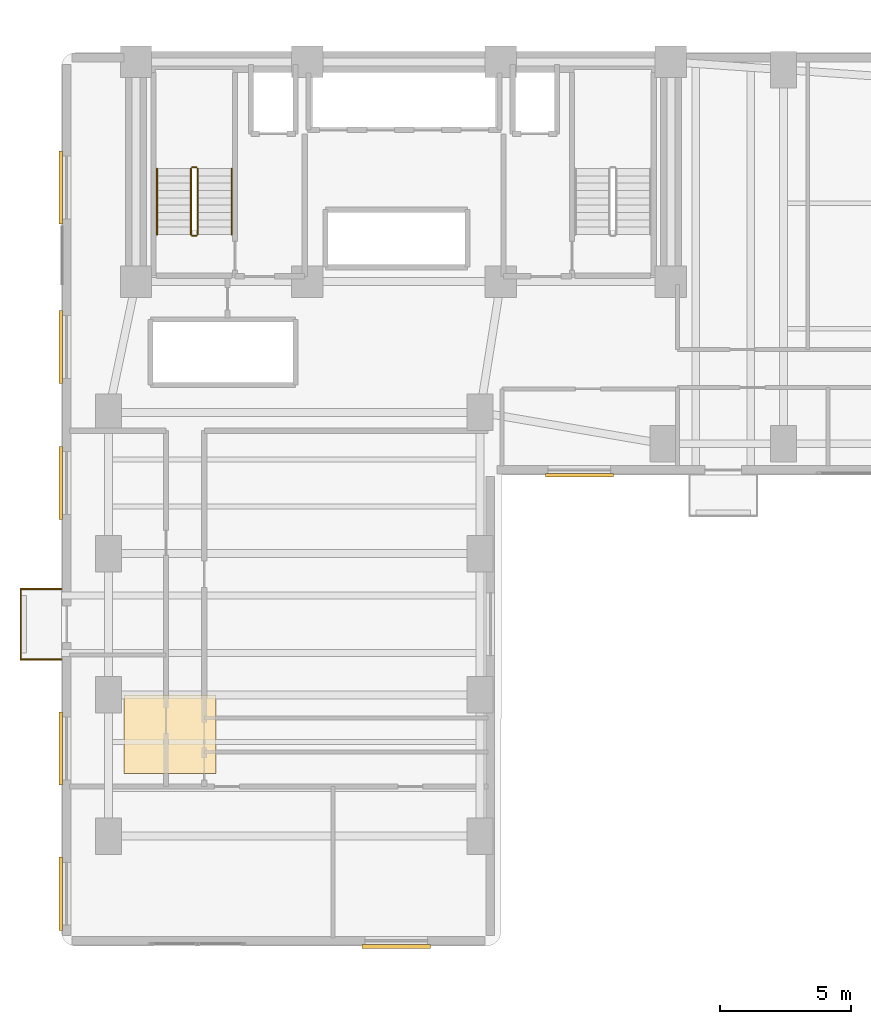
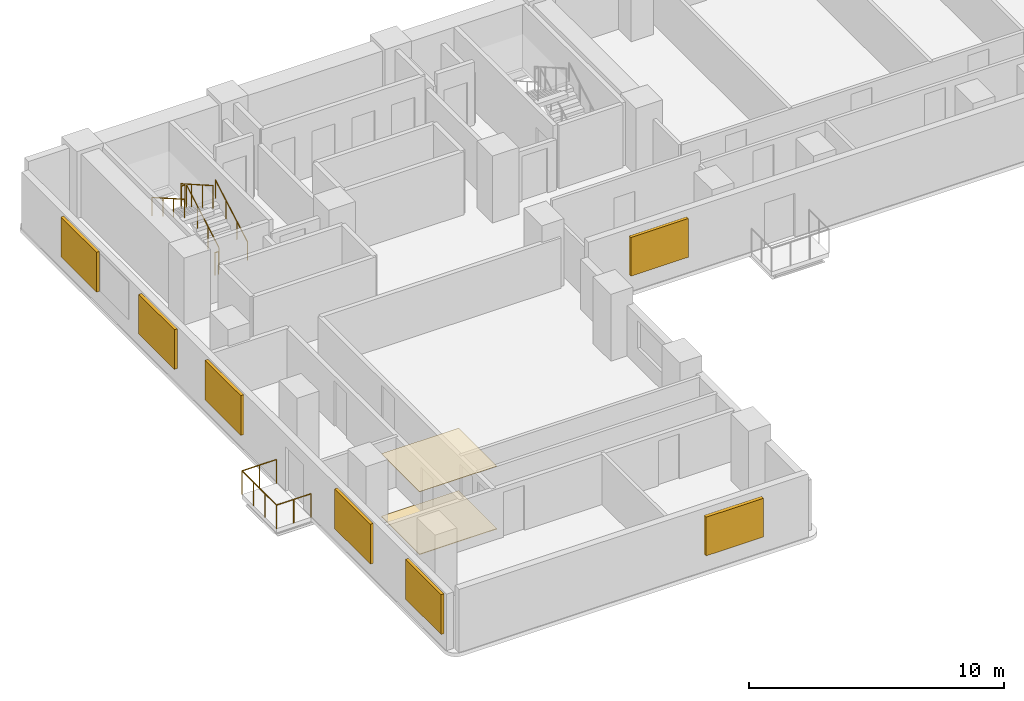
# One storey, part 14 of 17: 9 railings, 7 shading devices, 2 coverings.
"""IFC4 building model written with IfcOpenShell, lengths in metres."""

from ifc_helpers import new_model, si_unit, direction, frame, origin, origin_2d, place, context, subcontext, project, spatial, polyline, rectangle, circle, outline, extrude, material, layer, layer_set, type_object, element, save


model = new_model("IFC4")

# Units and contexts
model_context = context("Model", 3, precision=1e-05, world=origin(), true_north=direction((0.0, 1.0)))
body_context = subcontext(model_context, "Body", "Model", "MODEL_VIEW")
ifc_project = project(units=[si_unit("LENGTHUNIT", "METRE"), si_unit("AREAUNIT", "SQUARE_METRE"), si_unit("VOLUMEUNIT", "CUBIC_METRE"), si_unit("PLANEANGLEUNIT", "RADIAN"), si_unit("MASSUNIT", "GRAM", prefix="KILO")], contexts=[model_context])

# Site, building, storey
site_placement = place(None, origin())
site = spatial("IfcSite", under=ifc_project, at=site_placement, CompositionType="ELEMENT")
building_placement = place(site_placement, origin())
building = spatial("IfcBuilding", under=site, at=building_placement, Name="Kuzgunbayir Cultural Tower", CompositionType="ELEMENT")
storey_placement = place(building_placement, frame((0.0, 0.0, 46.800048828125)))
storey = spatial("IfcBuildingStorey", under=building, at=storey_placement, Name="L12", CompositionType="ELEMENT", Elevation=46.800048828125)

# Coverings
ifc_material_1 = material(Name="Perforated Gypsum Acoustic Tile", Category="gypsum")
ifc_layer_1 = layer(ifc_material_1, 0.02490234375)
ifc_layer_set_1 = layer_set([ifc_layer_1], Name="Perforated Gypsum Acoustic Tile")
covering_type_1 = type_object("IfcCoveringType", Name="COV-CEIL-ACOUSTIC", PredefinedType="CEILING", material=ifc_layer_set_1)
covering_1_placement = place(storey_placement, frame((0.0, 0.0, 3.0)))
element("IfcCovering", 1, at=covering_1_placement, inside=storey, type_object=covering_type_1, Name="L12 Acoustic Soffit Ceiling", PredefinedType="CEILING", context=body_context, shape_type="SweptSolid", body=[
    extrude(outline(polyline([(6.0, 15.0), (9.5, 15.0), (9.5, 18.0), (6.0, 18.0), (6.0, 15.0)])), origin(), (0.0, 0.0, 1.0), 0.02001953125),
])
ifc_material_2 = material(Name="Honed Anatolian Marble Terrazzo", Category="masonry")
ifc_layer_2 = layer(ifc_material_2, 0.030029296875)
ifc_layer_set_2 = layer_set([ifc_layer_2], Name="Honed Anatolian Marble Terrazzo")
covering_type_2 = type_object("IfcCoveringType", Name="COV-FLOOR-TERRAZZO", PredefinedType="FLOORING", material=ifc_layer_set_2)
covering_2_placement = place(storey_placement, origin())
element("IfcCovering", 2, at=covering_2_placement, inside=storey, type_object=covering_type_2, Name="L12 Acoustic Floor Finish", PredefinedType="FLOORING", context=body_context, shape_type="SweptSolid", body=[
    extrude(outline(polyline([(6.0, 15.0), (9.5, 15.0), (9.5, 18.0), (6.0, 18.0), (6.0, 15.0)])), origin(), (0.0, 0.0, 1.0), 0.030029296875),
])

# Railings
ifc_material_3 = material(Name="Laminated Glass and Stainless Steel", Category="steel")
ifc_layer_3 = layer(ifc_material_3, 0.080078125)
ifc_layer_set_3 = layer_set([ifc_layer_3], Name="Laminated Glass and Stainless Steel")
railing_type_1 = type_object("IfcRailingType", Name="RLG-BAL-115", PredefinedType="BALUSTRADE", material=ifc_layer_set_3)
railing_1_placement = place(storey_placement, frame((3.60009765625, 19.35009765625, 0.0)))
element("IfcRailing", 3, at=railing_1_placement, inside=storey, type_object=railing_type_1, Name="L12 Balcony Guard BAL-L12-WA2 Segment 1", PredefinedType="BALUSTRADE", context=body_context, shape_type="SweptSolid", body=[
    extrude(circle(Radius=0.02392578125, at=origin_2d()), frame((0.0, 0.0, 1.1259765625), z_axis=(-1.0, 0.0, 0.0), x_axis=(0.0, -1.0, 0.0)), (0.0, 0.0, 1.0), 1.56005859375),
    extrude(circle(Radius=0.02099609375, at=origin_2d()), origin(), (0.0, 0.0, 1.0), 1.101806640625),
    extrude(circle(Radius=0.02099609375, at=origin_2d()), frame((-0.780029296875, 0.0, 0.0)), (0.0, 0.0, 1.0), 1.101806640625),
    extrude(circle(Radius=0.02099609375, at=origin_2d()), frame((-1.56005859375, 0.0, 0.0)), (0.0, 0.0, 1.0), 1.101806640625),
])
railing_2_placement = place(storey_placement, frame((2.0400390625, 19.35009765625, 0.0)))
element("IfcRailing", 4, at=railing_2_placement, inside=storey, type_object=railing_type_1, Name="L12 Balcony Guard BAL-L12-WA2 Segment 2", PredefinedType="BALUSTRADE", context=body_context, shape_type="SweptSolid", body=[
    extrude(circle(Radius=0.02392578125, at=origin_2d()), frame((0.0, 0.0, 1.1259765625), z_axis=(0.0, 1.0, 0.0), x_axis=(-1.0, 0.0, 0.0)), (0.0, 0.0, 1.0), 2.699951171875),
    extrude(circle(Radius=0.02099609375, at=origin_2d()), origin(), (0.0, 0.0, 1.0), 1.101806640625),
    extrude(circle(Radius=0.02099609375, at=origin_2d()), frame((0.0, 0.89990234375, 0.0)), (0.0, 0.0, 1.0), 1.101806640625),
    extrude(circle(Radius=0.02099609375, at=origin_2d()), frame((0.0, 1.800048828125, 0.0)), (0.0, 0.0, 1.0), 1.101806640625),
    extrude(circle(Radius=0.02099609375, at=origin_2d()), frame((0.0, 2.699951171875, 0.0)), (0.0, 0.0, 1.0), 1.101806640625),
])
railing_3_placement = place(storey_placement, frame((2.0400390625, 22.050048828125, 0.0)))
element("IfcRailing", 5, at=railing_3_placement, inside=storey, type_object=railing_type_1, Name="L12 Balcony Guard BAL-L12-WA2 Segment 3", PredefinedType="BALUSTRADE", context=body_context, shape_type="SweptSolid", body=[
    extrude(circle(Radius=0.02392578125, at=origin_2d()), frame((0.0, 0.0, 1.1259765625), z_axis=(1.0, 0.0, 0.0), x_axis=(0.0, 1.0, 0.0)), (0.0, 0.0, 1.0), 1.56005859375),
    extrude(circle(Radius=0.02099609375, at=origin_2d()), origin(), (0.0, 0.0, 1.0), 1.101806640625),
    extrude(circle(Radius=0.02099609375, at=origin_2d()), frame((0.780029296875, 0.0, 0.0)), (0.0, 0.0, 1.0), 1.101806640625),
    extrude(circle(Radius=0.02099609375, at=origin_2d()), frame((1.56005859375, 0.0, 0.0)), (0.0, 0.0, 1.0), 1.101806640625),
])
ifc_material_4 = material(Name="Brushed Stainless Steel", Category="steel")
ifc_layer_4 = layer(ifc_material_4, 0.050048828125)
ifc_layer_set_4 = layer_set([ifc_layer_4], Name="Brushed Stainless Steel")
railing_type_2 = type_object("IfcRailingType", Name="RLG-STAIR-HANDRAIL", PredefinedType="HANDRAIL", material=ifc_layer_set_4)
railing_4_placement = place(storey_placement, frame((10.110107421875, 35.60009765625, 0.159912109375)))
element("IfcRailing", 6, at=railing_4_placement, inside=storey, type_object=railing_type_2, Name="L12 ST-1 stair handrail 1", PredefinedType="HANDRAIL", context=body_context, shape_type="SweptSolid", body=[
    extrude(circle(Radius=0.02392578125, at=origin_2d()), frame((0.0, 0.0, 0.8759765625), z_axis=(0.0, 0.868253494771, 0.496120820787), x_axis=(-1.0, 0.0, 0.0)), (0.0, 0.0, 1.0), 2.90234375),
    extrude(circle(Radius=0.02099609375, at=origin_2d()), origin(), (0.0, 0.0, 1.0), 0.851806640625),
    extrude(circle(Radius=0.02099609375, at=origin_2d()), frame((0.0, 0.840087890625, 0.47998046875)), (0.0, 0.0, 1.0), 0.851806640625),
    extrude(circle(Radius=0.02099609375, at=origin_2d()), frame((0.0, 1.679931640625, 0.9599609375)), (0.0, 0.0, 1.0), 0.851806640625),
    extrude(circle(Radius=0.02099609375, at=origin_2d()), frame((0.0, 2.52001953125, 1.43994140625)), (0.0, 0.0, 1.0), 0.851806640625),
])
railing_5_placement = place(storey_placement, frame((7.25, 38.1201171875, 1.760009765625)))
element("IfcRailing", 7, at=railing_5_placement, inside=storey, type_object=railing_type_2, Name="L12 ST-1 stair handrail 2", PredefinedType="HANDRAIL", context=body_context, shape_type="SweptSolid", body=[
    extrude(circle(Radius=0.02392578125, at=origin_2d()), frame((0.0, 0.0, 0.8759765625), z_axis=(0.0, -0.868253494771, 0.496120820787), x_axis=(1.0, 0.0, 0.0)), (0.0, 0.0, 1.0), 2.90234375),
    extrude(circle(Radius=0.02099609375, at=origin_2d()), origin(), (0.0, 0.0, 1.0), 0.851806640625),
    extrude(circle(Radius=0.02099609375, at=origin_2d()), frame((0.0, -0.840087890625, 0.47998046875)), (0.0, 0.0, 1.0), 0.851806640625),
    extrude(circle(Radius=0.02099609375, at=origin_2d()), frame((0.0, -1.679931640625, 0.9599609375)), (0.0, 0.0, 1.0), 0.851806640625),
    extrude(circle(Radius=0.02099609375, at=origin_2d()), frame((0.0, -2.52001953125, 1.43994140625)), (0.0, 0.0, 1.0), 0.851806640625),
])
ifc_material_5 = material(Name="Painted Steel Balustrade", Category="steel")
ifc_layer_5 = layer(ifc_material_5, 0.06005859375)
ifc_layer_set_5 = layer_set([ifc_layer_5], Name="Painted Steel Balustrade")
railing_type_3 = type_object("IfcRailingType", Name="RLG-WELL-GUARD", PredefinedType="GUARDRAIL", material=ifc_layer_set_5)
railing_6_placement = place(storey_placement, frame((8.81005859375, 35.60009765625, 0.159912109375)))
element("IfcRailing", 8, at=railing_6_placement, inside=storey, type_object=railing_type_3, Name="L12 ST-1 stair guard 1", PredefinedType="GUARDRAIL", context=body_context, shape_type="SweptSolid", body=[
    extrude(circle(Radius=0.02392578125, at=origin_2d()), frame((0.0, 0.0, 1.076171875), z_axis=(0.0, 0.868253494771, 0.496120820787), x_axis=(-1.0, 0.0, 0.0)), (0.0, 0.0, 1.0), 2.90234375),
    extrude(circle(Radius=0.02099609375, at=origin_2d()), origin(), (0.0, 0.0, 1.0), 1.052001953125),
    extrude(circle(Radius=0.02099609375, at=origin_2d()), frame((0.0, 0.840087890625, 0.47998046875)), (0.0, 0.0, 1.0), 1.052001953125),
    extrude(circle(Radius=0.02099609375, at=origin_2d()), frame((0.0, 1.679931640625, 0.9599609375)), (0.0, 0.0, 1.0), 1.052001953125),
    extrude(circle(Radius=0.02099609375, at=origin_2d()), frame((0.0, 2.52001953125, 1.43994140625)), (0.0, 0.0, 1.0), 1.052001953125),
])
railing_7_placement = place(storey_placement, frame((8.760009765625, 38.169921875, 1.599853515625)))
element("IfcRailing", 9, at=railing_7_placement, inside=storey, type_object=railing_type_3, Name="L12 ST-1 stair guard 2", PredefinedType="GUARDRAIL", context=body_context, shape_type="SweptSolid", body=[
    extrude(circle(Radius=0.02392578125, at=origin_2d()), frame((0.0, 0.0, 1.076171875), z_axis=(-1.0, 0.0, 0.0), x_axis=(0.0, -1.0, 0.0)), (0.0, 0.0, 1.0), 0.159912109375),
    extrude(circle(Radius=0.02099609375, at=origin_2d()), origin(), (0.0, 0.0, 1.0), 1.052001953125),
    extrude(circle(Radius=0.02099609375, at=origin_2d()), frame((-0.159912109375, 0.0, 0.0)), (0.0, 0.0, 1.0), 1.052001953125),
])
railing_8_placement = place(storey_placement, frame((8.550048828125, 38.1201171875, 1.760009765625)))
element("IfcRailing", 10, at=railing_8_placement, inside=storey, type_object=railing_type_3, Name="L12 ST-1 stair guard 3", PredefinedType="GUARDRAIL", context=body_context, shape_type="SweptSolid", body=[
    extrude(circle(Radius=0.02392578125, at=origin_2d()), frame((0.0, 0.0, 1.076171875), z_axis=(0.0, -0.868253494771, 0.496120820787), x_axis=(1.0, 0.0, 0.0)), (0.0, 0.0, 1.0), 2.90234375),
    extrude(circle(Radius=0.02099609375, at=origin_2d()), origin(), (0.0, 0.0, 1.0), 1.052001953125),
    extrude(circle(Radius=0.02099609375, at=origin_2d()), frame((0.0, -0.840087890625, 0.47998046875)), (0.0, 0.0, 1.0), 1.052001953125),
    extrude(circle(Radius=0.02099609375, at=origin_2d()), frame((0.0, -1.679931640625, 0.9599609375)), (0.0, 0.0, 1.0), 1.052001953125),
    extrude(circle(Radius=0.02099609375, at=origin_2d()), frame((0.0, -2.52001953125, 1.43994140625)), (0.0, 0.0, 1.0), 1.052001953125),
])
railing_9_placement = place(storey_placement, frame((8.760009765625, 35.550048828125, 0.0)))
element("IfcRailing", 11, at=railing_9_placement, inside=storey, type_object=railing_type_3, Name="L12 ST-1 stair guard 4", PredefinedType="GUARDRAIL", context=body_context, shape_type="SweptSolid", body=[
    extrude(circle(Radius=0.02392578125, at=origin_2d()), frame((0.0, 0.0, 1.076171875), z_axis=(-1.0, 0.0, 0.0), x_axis=(0.0, -1.0, 0.0)), (0.0, 0.0, 1.0), 0.159912109375),
    extrude(circle(Radius=0.02099609375, at=origin_2d()), origin(), (0.0, 0.0, 1.0), 1.052001953125),
    extrude(circle(Radius=0.02099609375, at=origin_2d()), frame((-0.159912109375, 0.0, 0.0)), (0.0, 0.0, 1.0), 1.052001953125),
])

# Shading devices
ifc_material_6 = material(Name="Perforated Bronze-Anodised Aluminium", Category="aluminium")
shading_device_type_1 = type_object("IfcShadingDeviceType", Name="SHD-SOLAR-BRONZE", PredefinedType="JALOUSIE", material=ifc_material_6)
for number, where, z_axis, x_axis, name in (
    (12, (3.580078125, 10.39990234375, 0.699951171875), (0.0, 0.0, 1.0), (1.0, 0.0, 0.0), "L12 Perforated Bronze Solar Screen WAW2"),
    (13, (3.580078125, 15.949951171875, 0.699951171875), (0.0, 0.0, 1.0), (1.0, 0.0, 0.0), "L12 Perforated Bronze Solar Screen WAW3"),
    (14, (3.580078125, 26.10009765625, 0.699951171875), (0.0, 0.0, 1.0), (1.0, 0.0, 0.0), "L12 Perforated Bronze Solar Screen WAW4"),
    (15, (3.580078125, 31.300048828125, 0.699951171875), (0.0, 0.0, 1.0), (1.0, 0.0, 0.0), "L12 Perforated Bronze Solar Screen WAW5"),
    (16, (3.580078125, 37.39990234375, 0.699951171875), (0.0, 0.0, 1.0), (1.0, 0.0, 0.0), "L12 Perforated Bronze Solar Screen WAW6"),
):
    element("IfcShadingDevice", number, at=place(storey_placement, frame(where, z_axis=z_axis, x_axis=x_axis)), inside=storey, type_object=shading_device_type_1, Name=name, PredefinedType="JALOUSIE", context=body_context, shape_type="SweptSolid", body=[
        extrude(rectangle(XDim=0.139892578125, YDim=2.800048828125, at=origin_2d()), origin(), (0.0, 0.0, 1.0), 1.89990234375),
    ])
shading_device_1_placement = place(storey_placement, frame((23.39990234375, 26.389892578125, 0.824951171875), z_axis=(0.0, 0.0, 1.0), x_axis=(1.0, 0.0, 0.0)))
element("IfcShadingDevice", 17, at=shading_device_1_placement, inside=storey, type_object=shading_device_type_1, Name="L12 Solar Screen WBS9", PredefinedType="JALOUSIE", context=body_context, shape_type="SweptSolid", body=[
    extrude(rectangle(XDim=2.60009765625, YDim=0.139892578125, at=origin_2d()), origin(), (0.0, 0.0, 1.0), 1.85009765625),
])
ifc_material_7 = material(Name="Warm Terracotta Ceramic Baguette", Category="masonry")
shading_device_type_2 = type_object("IfcShadingDeviceType", Name="SHD-SOLAR-CERAMIC", PredefinedType="SHUTTER", material=ifc_material_7)
shading_device_2_placement = place(storey_placement, frame((16.39990234375, 8.3798828125, 0.824951171875), z_axis=(0.0, 0.0, 1.0), x_axis=(1.0, 0.0, 0.0)))
element("IfcShadingDevice", 18, at=shading_device_2_placement, inside=storey, type_object=shading_device_type_2, Name="L12 Solar Screen WAS8", PredefinedType="SHUTTER", context=body_context, shape_type="SweptSolid", body=[
    extrude(rectangle(XDim=2.60009765625, YDim=0.159912109375, at=origin_2d()), origin(), (0.0, 0.0, 1.0), 1.85009765625),
])

save(model, "model.ifc")
